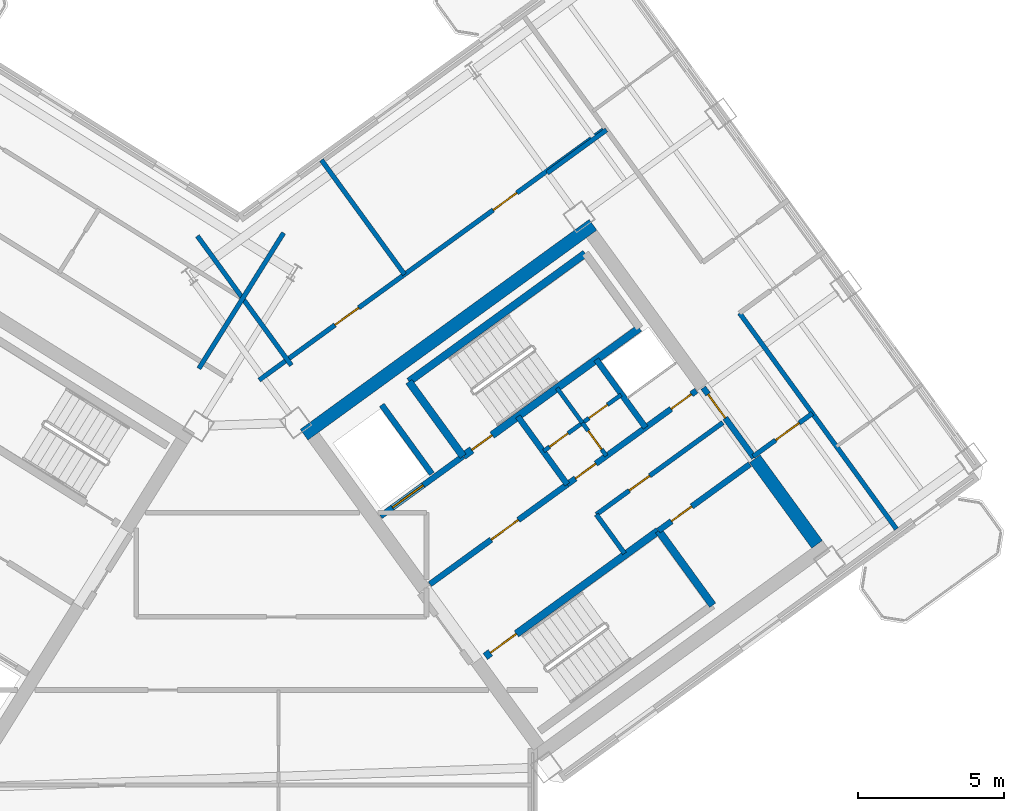
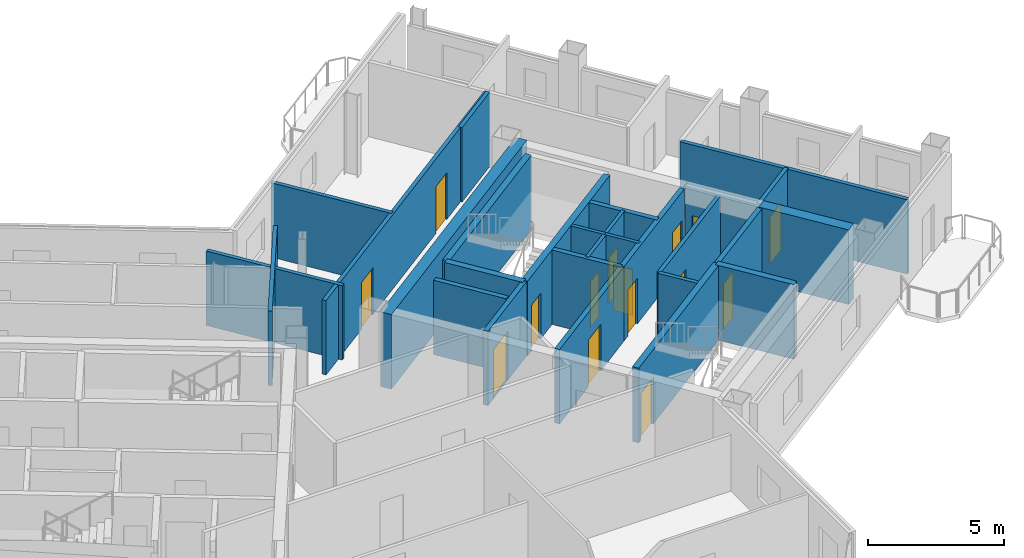
# One storey, part 14 of 21: 27 walls, 15 doors, 15 openings.
"""IFC4 building model written with IfcOpenShell, lengths in metres."""

from ifc_helpers import new_model, si_unit, direction, frame, frame_2d, origin, place, context, subcontext, project, spatial, rectangle, extrude, source, transform, mapped, material, layer, layer_set, type_object, element, fill, save


model = new_model("IFC4")

# Units and contexts
model_context = context("Model", 3, precision=1e-05, world=origin(), true_north=direction((0.0, 1.0)))
body_context = subcontext(model_context, "Body", "Model", "MODEL_VIEW")
ifc_project = project(units=[si_unit("LENGTHUNIT", "METRE"), si_unit("AREAUNIT", "SQUARE_METRE"), si_unit("VOLUMEUNIT", "CUBIC_METRE"), si_unit("PLANEANGLEUNIT", "RADIAN"), si_unit("MASSUNIT", "GRAM", prefix="KILO")], contexts=[model_context])

# Site, building, storey
site_placement = place(None, origin())
site = spatial("IfcSite", under=ifc_project, at=site_placement, CompositionType="ELEMENT")
building_placement = place(site_placement, origin())
building = spatial("IfcBuilding", under=site, at=building_placement, Name="Tlacorven Tower", CompositionType="ELEMENT")
storey_placement = place(building_placement, frame((0.0, 0.0, 214.800048828125)))
storey = spatial("IfcBuildingStorey", under=building, at=storey_placement, Name="L54", CompositionType="ELEMENT", Elevation=214.800048828125)

# Walls
ifc_material_1 = material(Name="Concrete C50/60", Category="concrete")
ifc_layer_1 = layer(ifc_material_1, 0.449951171875)
ifc_layer_set_1 = layer_set([ifc_layer_1], Name="Concrete C50/60")
wall_type_1 = type_object("IfcWallType", Name="WL-COR-450", PredefinedType="SHEAR", material=ifc_layer_set_1)
wall_1_placement = place(storey_placement, frame((44.405517578125, 24.171630859375, 0.0), z_axis=(0.0, 0.0, 1.0), x_axis=(0.809012867805, 0.587790931986, 0.0)))
element("IfcWall", 1, at=wall_1_placement, inside=storey, type_object=wall_type_1, Name="L54 E core shear wall S2", PredefinedType="SHEAR", context=body_context, shape_type="SweptSolid", body=[
    extrude(rectangle(XDim=12.239990234375, YDim=0.449951171875, at=frame_2d((6.1201171875, 0.0))), origin(), (0.0, 0.0, 1.0), 3.349853515625),
])
wall_2_placement = place(storey_placement, frame((61.987548828125, 20.413330078125, 0.0), z_axis=(0.0, 0.0, 1.0), x_axis=(-0.587819244441, 0.808992296542, 0.0)))
element("IfcWall", 2, at=wall_2_placement, inside=storey, type_object=wall_type_1, Name="L54 E core end wall E2.1", PredefinedType="SHEAR", context=body_context, shape_type="SweptSolid", body=[
    extrude(rectangle(XDim=3.625, YDim=0.449951171875, at=frame_2d((1.8125, 0.0))), origin(), (0.0, 0.0, 1.0), 3.349853515625),
])

# Wall, opening, door
ifc_material_2 = material(Name="Gypsum plasterboard acoustic partition", Category="gypsum")
ifc_layer_2 = layer(ifc_material_2, 0.159912109375)
ifc_layer_set_2 = layer_set([ifc_layer_2], Name="Gypsum plasterboard acoustic partition")
wall_type_2 = type_object("IfcWallType", Name="WL-DEM-160", PredefinedType="PARTITIONING", material=ifc_layer_set_2)
wall_3_placement = place(storey_placement, frame((54.421142578125, 21.436279296875, 0.0), z_axis=(0.0, 0.0, 1.0), x_axis=(0.809013710463, 0.587789772183, 0.0)))
wall_3 = element("IfcWall", 3, at=wall_3_placement, inside=storey, type_object=wall_type_2, Name="L54 partition 29", PredefinedType="PARTITIONING", context=body_context, shape_type="SweptSolid", body=[
    extrude(rectangle(XDim=5.360107421875, YDim=0.159912109375, at=frame_2d((2.68017578125, 0.0))), origin(), (0.0, 0.0, 1.0), 3.33984375),
])
opening_1_placement = place(wall_3_placement, frame((1.39990234375, 0.0, 0.0)))
opening_1 = element("IfcOpeningElement", 4, at=opening_1_placement, cuts=wall_3, Name="Opening D19", PredefinedType="OPENING", context=body_context, shape_type="SweptSolid", body=[
    extrude(rectangle(XDim=0.860107421875, YDim=2.050048828125, at=frame_2d((0.43017578125, 1.02490234375))), frame((0.0, 0.08984375, 0.0), z_axis=(0.0, -1.0, 0.0), x_axis=(1.0, 0.0, 0.0)), (0.0, 0.0, 1.0), 0.179931640625),
])
ifc_material_3 = material(Name="Fire-rated steel door assembly", Category="steel")
door_type_1 = type_object("IfcDoorType", Name="DR-RSR-FD60-0860", OperationType="NOTDEFINED", PredefinedType="DOOR", material=ifc_material_3)
shared_shape_1 = source(origin(), body_context, "Body", "SweptSolid", [
    extrude(rectangle(XDim=0.860107421875, YDim=2.050048828125, at=frame_2d((0.43017578125, 1.02490234375))), frame((0.0, 0.02490234375, 0.0), z_axis=(0.0, -1.0, 0.0), x_axis=(1.0, 0.0, 0.0)), (0.0, 0.0, 1.0), 0.050048828125),
])
door_1_placement = place(opening_1_placement, origin())
door_1 = element("IfcDoor", 5, at=door_1_placement, inside=storey, type_object=door_type_1, Name="L54 Freed Core Store Door", OperationType="SINGLE_SWING_LEFT", OverallHeight=2.050048828125, OverallWidth=0.860107421875, PredefinedType="DOOR", context=body_context, shape_type="MappedRepresentation", body=[
    mapped(shared_shape_1, transform((0.0, 0.0, 0.0), scale=1.0)),
])
fill(opening_1, door_1)

# Walls
wall_4_placement = place(storey_placement, frame((55.390869140625, 20.1015625, 0.0), z_axis=(0.0, 0.0, 1.0), x_axis=(-0.58778447739, 0.809017557374, 0.0)))
element("IfcWall", 6, at=wall_4_placement, inside=storey, type_object=wall_type_2, Name="L54 partition 30", PredefinedType="PARTITIONING", context=body_context, shape_type="SweptSolid", body=[
    extrude(rectangle(XDim=1.64990234375, YDim=0.159912109375, at=frame_2d((0.824951171875, 0.0))), origin(), (0.0, 0.0, 1.0), 3.33984375),
])
wall_5_placement = place(storey_placement, frame((43.70361328125, 31.086181640625, 0.0), z_axis=(0.0, 0.0, 1.0), x_axis=(-0.529906828443, -0.848055866774, 0.0)))
element("IfcWall", 7, at=wall_5_placement, inside=storey, type_object=wall_type_2, Name="L54 WC West Throat Wall", PredefinedType="PARTITIONING", context=body_context, shape_type="SweptSolid", body=[
    extrude(rectangle(XDim=5.479736328125, YDim=0.159912109375, at=frame_2d((2.73974609375, 0.0))), origin(), (0.0, 0.0, 1.0), 3.33984375),
])

# Wall, opening, door
wall_6_placement = place(storey_placement, frame((59.7978515625, 23.427001953125, 0.0), z_axis=(0.0, 0.0, 1.0), x_axis=(0.809034604122, 0.587761013791, 0.0)))
wall_6 = element("IfcWall", 8, at=wall_6_placement, inside=storey, type_object=wall_type_2, Name="L54 partition 75", PredefinedType="PARTITIONING", context=body_context, shape_type="SweptSolid", body=[
    extrude(rectangle(XDim=2.510009765625, YDim=0.159912109375, at=frame_2d((1.2548828125, 0.0))), origin(), (0.0, 0.0, 1.0), 3.33984375),
])
opening_2_placement = place(wall_6_placement, frame((0.949951171875, 0.0, 0.0)))
opening_2 = element("IfcOpeningElement", 9, at=opening_2_placement, cuts=wall_6, Name="Opening D11", PredefinedType="OPENING", context=body_context, shape_type="SweptSolid", body=[
    extrude(rectangle(XDim=1.0, YDim=2.10009765625, at=frame_2d((0.5, 1.050048828125))), frame((0.0, 0.08984375, 0.0), z_axis=(0.0, -1.0, 0.0), x_axis=(1.0, 0.0, 0.0)), (0.0, 0.0, 1.0), 0.179931640625),
])
door_type_2 = type_object("IfcDoorType", Name="DR-FLT-FD60-1000", OperationType="NOTDEFINED", PredefinedType="DOOR", material=ifc_material_3)
shared_shape_2 = source(origin(), body_context, "Body", "SweptSolid", [
    extrude(rectangle(XDim=1.0, YDim=2.10009765625, at=frame_2d((0.5, 1.050048828125))), frame((0.0, 0.02490234375, 0.0), z_axis=(0.0, -1.0, 0.0), x_axis=(1.0, 0.0, 0.0)), (0.0, 0.0, 1.0), 0.050048828125),
])
door_2_placement = place(opening_2_placement, frame((1.0, 0.0, 0.0), z_axis=(0.0, 0.0, 1.0), x_axis=(-1.0, 0.0, 0.0)))
door_2 = element("IfcDoor", 10, at=door_2_placement, inside=storey, type_object=door_type_2, Name="L54 door 050", OperationType="SINGLE_SWING_LEFT", OverallHeight=2.10009765625, OverallWidth=1.0, PredefinedType="DOOR", context=body_context, shape_type="MappedRepresentation", body=[
    mapped(shared_shape_2, transform((0.0, 0.0, 0.0), scale=1.0)),
])
fill(opening_2, door_2)

# Walls
wall_7_placement = place(storey_placement, frame((52.73876953125, 33.143310546875, 0.0), z_axis=(0.0, 0.0, 1.0), x_axis=(0.809000999347, 0.58780726693, 0.0)))
element("IfcWall", 11, at=wall_7_placement, inside=storey, type_object=wall_type_2, Name="L54 partition 76", PredefinedType="PARTITIONING", context=body_context, shape_type="SweptSolid", body=[
    extrude(rectangle(XDim=2.510009765625, YDim=0.159912109375, at=frame_2d((1.2548828125, 0.0))), origin(), (0.0, 0.0, 1.0), 3.33984375),
])
wall_8_placement = place(storey_placement, frame((64.708740234375, 20.93798828125, 0.0), z_axis=(0.0, 0.0, 1.0), x_axis=(-0.587776590479, 0.80902328748, 0.0)))
element("IfcWall", 12, at=wall_8_placement, inside=storey, type_object=wall_type_2, Name="L54 partition 77", PredefinedType="PARTITIONING", context=body_context, shape_type="SweptSolid", body=[
    extrude(rectangle(XDim=9.150146484375, YDim=0.159912109375, at=frame_2d((4.5751953125, 0.0))), origin(), (0.0, 0.0, 1.0), 3.33984375),
])

# Wall, openings, doors
wall_9_placement = place(storey_placement, frame((42.86572265625, 26.04443359375, 0.0), z_axis=(0.0, 0.0, 1.0), x_axis=(0.809020254154, 0.587780765566, 0.0)))
wall_9 = element("IfcWall", 13, at=wall_9_placement, inside=storey, type_object=wall_type_2, Name="L54 partition 84", PredefinedType="PARTITIONING", context=body_context, shape_type="SweptSolid", body=[
    extrude(rectangle(XDim=14.670166015625, YDim=0.159912109375, at=frame_2d((7.3349609375, 0.0))), origin(), (0.0, 0.0, 1.0), 3.33984375),
])
opening_3_placement = place(wall_9_placement, frame((3.215087890625, 0.0, 0.0)))
opening_3 = element("IfcOpeningElement", 14, at=opening_3_placement, cuts=wall_9, Name="Opening D11", PredefinedType="OPENING", context=body_context, shape_type="SweptSolid", body=[
    extrude(rectangle(XDim=1.0, YDim=2.10009765625, at=frame_2d((0.5, 1.050048828125))), frame((0.0, 0.08984375, 0.0), z_axis=(0.0, -1.0, 0.0), x_axis=(1.0, 0.0, 0.0)), (0.0, 0.0, 1.0), 0.179931640625),
])
opening_4_placement = place(wall_9_placement, frame((9.9150390625, 0.0, 0.0)))
opening_4 = element("IfcOpeningElement", 15, at=opening_4_placement, cuts=wall_9, Name="Opening D11", PredefinedType="OPENING", context=body_context, shape_type="SweptSolid", body=[
    extrude(rectangle(XDim=1.0, YDim=2.10009765625, at=frame_2d((0.5, 1.050048828125))), frame((0.0, 0.08984375, 0.0), z_axis=(0.0, -1.0, 0.0), x_axis=(1.0, 0.0, 0.0)), (0.0, 0.0, 1.0), 0.179931640625),
])
door_3_placement = place(opening_3_placement, origin())
door_3 = element("IfcDoor", 16, at=door_3_placement, inside=storey, type_object=door_type_2, Name="L54 door 056", OperationType="SINGLE_SWING_LEFT", OverallHeight=2.10009765625, OverallWidth=1.0, PredefinedType="DOOR", context=body_context, shape_type="MappedRepresentation", body=[
    mapped(shared_shape_2, transform((0.0, 0.0, 0.0), scale=1.0)),
])
fill(opening_3, door_3)
door_4_placement = place(opening_4_placement, origin())
door_4 = element("IfcDoor", 17, at=door_4_placement, inside=storey, type_object=door_type_2, Name="L54 door 057", OperationType="SINGLE_SWING_RIGHT", OverallHeight=2.10009765625, OverallWidth=1.0, PredefinedType="DOOR", context=body_context, shape_type="MappedRepresentation", body=[
    mapped(shared_shape_2, transform((0.0, 0.0, 0.0), scale=1.0)),
])
fill(opening_4, door_4)

# Walls
wall_10_placement = place(storey_placement, frame((43.969482421875, 26.549560546875, 0.0), z_axis=(0.0, 0.0, 1.0), x_axis=(-0.587776919386, 0.80902304852, 0.0)))
element("IfcWall", 18, at=wall_10_placement, inside=storey, type_object=wall_type_2, Name="L54 EC West Throat Wall", PredefinedType="PARTITIONING", context=body_context, shape_type="SweptSolid", body=[
    extrude(rectangle(XDim=5.47998046875, YDim=0.159912109375, at=frame_2d((2.739990234375, 0.0))), origin(), (0.0, 0.0, 1.0), 3.33984375),
])
wall_11_placement = place(storey_placement, frame((47.849365234375, 29.6650390625, 0.0), z_axis=(0.0, 0.0, 1.0), x_axis=(-0.587785532001, 0.809016791155, 0.0)))
element("IfcWall", 19, at=wall_11_placement, inside=storey, type_object=wall_type_2, Name="L54 EC Demising Wall 1", PredefinedType="PARTITIONING", context=body_context, shape_type="SweptSolid", body=[
    extrude(rectangle(XDim=4.85009765625, YDim=0.159912109375, at=frame_2d((2.425048828125, 0.0))), origin(), (0.0, 0.0, 1.0), 3.33984375),
])

# Wall, opening, door
ifc_material_4 = material(Name="Moisture-resistant gypsum plumbing wall", Category="gypsum")
ifc_layer_3 = layer(ifc_material_4, 0.139892578125)
ifc_layer_set_3 = layer_set([ifc_layer_3], Name="Moisture-resistant gypsum plumbing wall")
wall_type_3 = type_object("IfcWallType", Name="WL-PLM-140", PredefinedType="PLUMBINGWALL", material=ifc_layer_set_3)
wall_12_placement = place(storey_placement, frame((54.767578125, 23.443359375, 0.0), z_axis=(0.0, 0.0, 1.0), x_axis=(-0.587736077749, 0.809052719489, 0.0)))
wall_12 = element("IfcWall", 20, at=wall_12_placement, inside=storey, type_object=wall_type_3, Name="L54 partition 35", PredefinedType="PLUMBINGWALL", context=body_context, shape_type="SweptSolid", body=[
    extrude(rectangle(XDim=1.39990234375, YDim=0.139892578125, at=frame_2d((0.699951171875, 0.0))), origin(), (0.0, 0.0, 1.0), 3.33984375),
])
opening_5_placement = place(wall_12_placement, frame((0.280029296875, 0.0, 0.0)))
opening_5 = element("IfcOpeningElement", 21, at=opening_5_placement, cuts=wall_12, Name="Opening D22", PredefinedType="OPENING", context=body_context, shape_type="SweptSolid", body=[
    extrude(rectangle(XDim=0.780029296875, YDim=2.050048828125, at=frame_2d((0.39013671875, 1.02490234375))), frame((0.0, 0.080078125, 0.0), z_axis=(0.0, -1.0, 0.0), x_axis=(1.0, 0.0, 0.0)), (0.0, 0.0, 1.0), 0.159912109375),
])
ifc_material_5 = material(Name="Powder-coated aluminium and timber door", Category="wood")
door_type_3 = type_object("IfcDoorType", Name="DR-INT-WET-0780", OperationType="NOTDEFINED", PredefinedType="DOOR", material=ifc_material_5)
shared_shape_3 = source(origin(), body_context, "Body", "SweptSolid", [
    extrude(rectangle(XDim=0.780029296875, YDim=2.050048828125, at=frame_2d((0.39013671875, 1.02490234375))), frame((0.0, 0.02490234375, 0.0), z_axis=(0.0, -1.0, 0.0), x_axis=(1.0, 0.0, 0.0)), (0.0, 0.0, 1.0), 0.050048828125),
])
door_5_placement = place(opening_5_placement, origin())
door_5 = element("IfcDoor", 22, at=door_5_placement, inside=storey, type_object=door_type_3, Name="L54 door 019", OperationType="SINGLE_SWING_LEFT", OverallHeight=2.050048828125, OverallWidth=0.780029296875, PredefinedType="DOOR", context=body_context, shape_type="MappedRepresentation", body=[
    mapped(shared_shape_3, transform((0.0, 0.0, 0.0), scale=1.0)),
])
fill(opening_5, door_5)

# Wall
wall_13_placement = place(storey_placement, frame((53.94482421875, 24.575927734375, 0.0), z_axis=(0.0, 0.0, 1.0), x_axis=(-0.587897037186, 0.808935766095, 0.0)))
element("IfcWall", 23, at=wall_13_placement, inside=storey, type_object=wall_type_3, Name="L54 partition 36", PredefinedType="PLUMBINGWALL", context=body_context, shape_type="SweptSolid", body=[
    extrude(rectangle(XDim=1.47998046875, YDim=0.139892578125, at=frame_2d((0.739990234375, 0.0))), origin(), (0.0, 0.0, 1.0), 3.33984375),
])

# Wall, openings, doors
wall_14_placement = place(storey_placement, frame((52.617919921875, 23.612060546875, 0.0), z_axis=(0.0, 0.0, 1.0), x_axis=(0.809009587469, 0.587795446889, 0.0)))
wall_14 = element("IfcWall", 24, at=wall_14_placement, inside=storey, type_object=wall_type_3, Name="L54 partition 37", PredefinedType="PLUMBINGWALL", context=body_context, shape_type="SweptSolid", body=[
    extrude(rectangle(XDim=3.280029296875, YDim=0.139892578125, at=frame_2d((1.64013671875, 0.0))), origin(), (0.0, 0.0, 1.0), 3.33984375),
])
opening_6_placement = place(wall_14_placement, frame((0.25, 0.0, 0.0)))
opening_6 = element("IfcOpeningElement", 25, at=opening_6_placement, cuts=wall_14, Name="Opening D22", PredefinedType="OPENING", context=body_context, shape_type="SweptSolid", body=[
    extrude(rectangle(XDim=0.780029296875, YDim=2.050048828125, at=frame_2d((0.39013671875, 1.02490234375))), frame((0.0, 0.080078125, 0.0), z_axis=(0.0, -1.0, 0.0), x_axis=(1.0, 0.0, 0.0)), (0.0, 0.0, 1.0), 0.159912109375),
])
opening_7_placement = place(wall_14_placement, frame((1.919921875, 0.0, 0.0)))
opening_7 = element("IfcOpeningElement", 26, at=opening_7_placement, cuts=wall_14, Name="Opening D22", PredefinedType="OPENING", context=body_context, shape_type="SweptSolid", body=[
    extrude(rectangle(XDim=0.780029296875, YDim=2.050048828125, at=frame_2d((0.39013671875, 1.02490234375))), frame((0.0, 0.080078125, 0.0), z_axis=(0.0, -1.0, 0.0), x_axis=(1.0, 0.0, 0.0)), (0.0, 0.0, 1.0), 0.159912109375),
])
door_6_placement = place(opening_6_placement, origin())
door_6 = element("IfcDoor", 27, at=door_6_placement, inside=storey, type_object=door_type_3, Name="L54 door 020", OperationType="SINGLE_SWING_RIGHT", OverallHeight=2.050048828125, OverallWidth=0.780029296875, PredefinedType="DOOR", context=body_context, shape_type="MappedRepresentation", body=[
    mapped(shared_shape_3, transform((0.0, 0.0, 0.0), scale=1.0)),
])
fill(opening_6, door_6)
door_7_placement = place(opening_7_placement, origin())
door_7 = element("IfcDoor", 28, at=door_7_placement, inside=storey, type_object=door_type_3, Name="L54 door 021", OperationType="SINGLE_SWING_LEFT", OverallHeight=2.050048828125, OverallWidth=0.780029296875, PredefinedType="DOOR", context=body_context, shape_type="MappedRepresentation", body=[
    mapped(shared_shape_3, transform((0.0, 0.0, 0.0), scale=1.0)),
])
fill(opening_7, door_7)

# Wall, opening, door
ifc_material_6 = material(Name="Concrete C40/50", Category="concrete")
ifc_layer_4 = layer(ifc_material_6, 0.199951171875)
ifc_layer_set_4 = layer_set([ifc_layer_4], Name="Concrete C40/50")
wall_type_4 = type_object("IfcWallType", Name="WL-SHF-200", PredefinedType="STANDARD", material=ifc_layer_set_4)
wall_15_placement = place(storey_placement, frame((47.02490234375, 21.3779296875, 0.0), z_axis=(0.0, 0.0, 1.0), x_axis=(0.809052869724, 0.587735870941, 0.0)))
wall_15 = element("IfcWall", 29, at=wall_15_placement, inside=storey, type_object=wall_type_4, Name="L54 Core E Firefighting Lift Shaft Front Wall", PredefinedType="STANDARD", context=body_context, shape_type="SweptSolid", body=[
    extrude(rectangle(XDim=3.498046875, YDim=0.199951171875, at=frame_2d((1.7490234375, 0.0))), origin(), (0.0, 0.0, 1.0), 3.33984375),
])
opening_8_placement = place(wall_15_placement, frame((0.508056640625, 0.0, 0.0)))
opening_8 = element("IfcOpeningElement", 30, at=opening_8_placement, cuts=wall_15, Name="Opening LD03", PredefinedType="OPENING", context=body_context, shape_type="SweptSolid", body=[
    extrude(rectangle(XDim=1.300048828125, YDim=2.199951171875, at=frame_2d((0.64990234375, 1.10009765625))), frame((0.0, 0.10986328125, 0.0), z_axis=(0.0, -1.0, 0.0), x_axis=(1.0, 0.0, 0.0)), (0.0, 0.0, 1.0), 0.219970703125),
])
door_type_4 = type_object("IfcDoorType", Name="DR-LFT-SLID-1300", OperationType="DOUBLE_DOOR_SLIDING", PredefinedType="DOOR", material=ifc_material_3)
shared_shape_4 = source(origin(), body_context, "Body", "SweptSolid", [
    extrude(rectangle(XDim=1.300048828125, YDim=2.199951171875, at=frame_2d((0.64990234375, 1.10009765625))), frame((0.0, 0.02490234375, 0.0), z_axis=(0.0, -1.0, 0.0), x_axis=(1.0, 0.0, 0.0)), (0.0, 0.0, 1.0), 0.050048828125),
])
door_8_placement = place(opening_8_placement, origin())
door_8 = element("IfcDoor", 31, at=door_8_placement, inside=storey, type_object=door_type_4, Name="L54 Lift FFL-E1 Sliding Landing Door", OperationType="DOUBLE_DOOR_SLIDING", OverallHeight=2.199951171875, OverallWidth=1.300048828125, PredefinedType="DOOR", context=body_context, shape_type="MappedRepresentation", body=[
    mapped(shared_shape_4, transform((0.0, 0.0, 0.0), scale=1.0)),
])
fill(opening_8, door_8)

wall_16_placement = place(storey_placement, frame((48.7177734375, 19.0478515625, 0.0), z_axis=(0.0, 0.0, 1.0), x_axis=(0.809017261719, 0.587784884325, 0.0)))
wall_16 = element("IfcWall", 32, at=wall_16_placement, inside=storey, type_object=wall_type_4, Name="L54 Core E Smoke Lobby Wall", PredefinedType="STANDARD", context=body_context, shape_type="SweptSolid", body=[
    extrude(rectangle(XDim=5.81787109375, YDim=0.199951171875, at=frame_2d((2.908935546875, 0.0))), origin(), (0.0, 0.0, 1.0), 3.33984375),
])
opening_9_placement = place(wall_16_placement, frame((2.597900390625, 0.0, 0.0)))
opening_9 = element("IfcOpeningElement", 33, at=opening_9_placement, cuts=wall_16, Name="Opening D09", PredefinedType="OPENING", context=body_context, shape_type="SweptSolid", body=[
    extrude(rectangle(XDim=1.14990234375, YDim=2.10009765625, at=frame_2d((0.574951171875, 1.050048828125))), frame((0.0, 0.10986328125, 0.0), z_axis=(0.0, -1.0, 0.0), x_axis=(1.0, 0.0, 0.0)), (0.0, 0.0, 1.0), 0.219970703125),
])
door_type_5 = type_object("IfcDoorType", Name="DR-FFL-FD60-1150", OperationType="NOTDEFINED", PredefinedType="DOOR", material=ifc_material_3)
shared_shape_5 = source(origin(), body_context, "Body", "SweptSolid", [
    extrude(rectangle(XDim=1.14990234375, YDim=2.10009765625, at=frame_2d((0.574951171875, 1.050048828125))), frame((0.0, 0.02490234375, 0.0), z_axis=(0.0, -1.0, 0.0), x_axis=(1.0, 0.0, 0.0)), (0.0, 0.0, 1.0), 0.050048828125),
])
door_9_placement = place(opening_9_placement, origin())
door_9 = element("IfcDoor", 34, at=door_9_placement, inside=storey, type_object=door_type_5, Name="L54 Firefighting Lobby E Fire Door", OperationType="SINGLE_SWING_LEFT", OverallHeight=2.10009765625, OverallWidth=1.14990234375, PredefinedType="DOOR", context=body_context, shape_type="MappedRepresentation", body=[
    mapped(shared_shape_5, transform((0.0, 0.0, 0.0), scale=1.0)),
])
fill(opening_9, door_9)

wall_17_placement = place(storey_placement, frame((56.552978515625, 20.884033203125, 0.0), z_axis=(0.0, 0.0, 1.0), x_axis=(0.809041669066, 0.587751288995, 0.0)))
wall_17 = element("IfcWall", 35, at=wall_17_placement, inside=storey, type_object=wall_type_4, Name="L54 Core E South Lift Shaft Wall", PredefinedType="STANDARD", context=body_context, shape_type="SweptSolid", body=[
    extrude(rectangle(XDim=3.867919921875, YDim=0.199951171875, at=frame_2d((1.93408203125, 0.0))), origin(), (0.0, 0.0, 1.0), 3.33984375),
])
opening_10_placement = place(wall_17_placement, frame((0.550048828125, 0.0, 0.0)))
opening_10 = element("IfcOpeningElement", 36, at=opening_10_placement, cuts=wall_17, Name="Opening D19", PredefinedType="OPENING", context=body_context, shape_type="SweptSolid", body=[
    extrude(rectangle(XDim=0.860107421875, YDim=2.050048828125, at=frame_2d((0.43017578125, 1.02490234375))), frame((0.0, 0.10986328125, 0.0), z_axis=(0.0, -1.0, 0.0), x_axis=(1.0, 0.0, 0.0)), (0.0, 0.0, 1.0), 0.219970703125),
])
door_10_placement = place(opening_10_placement, origin())
door_10 = element("IfcDoor", 37, at=door_10_placement, inside=storey, type_object=door_type_1, Name="L54 East Telecoms Riser Access Door", OperationType="SINGLE_SWING_RIGHT", OverallHeight=2.050048828125, OverallWidth=0.860107421875, PredefinedType="DOOR", context=body_context, shape_type="MappedRepresentation", body=[
    mapped(shared_shape_1, transform((0.0, 0.0, 0.0), scale=1.0)),
])
fill(opening_10, door_10)

# Walls
wall_18_placement = place(storey_placement, frame((48.78564453125, 22.830078125, 0.0), z_axis=(0.0, 0.0, 1.0), x_axis=(-0.587783856777, 0.809018008275, 0.0)))
element("IfcWall", 38, at=wall_18_placement, inside=storey, type_object=wall_type_4, Name="L54 partition 31", PredefinedType="STANDARD", context=body_context, shape_type="SweptSolid", body=[
    extrude(rectangle(XDim=2.919921875, YDim=0.199951171875, at=frame_2d((1.4599609375, 0.0))), origin(), (0.0, 0.0, 1.0), 3.33984375),
])
wall_19_placement = place(storey_placement, frame((53.424560546875, 22.467529296875, 0.0), z_axis=(0.0, 0.0, 1.0), x_axis=(-0.5877230039, 0.809062216821, 0.0)))
element("IfcWall", 39, at=wall_19_placement, inside=storey, type_object=wall_type_4, Name="L54 partition 32", PredefinedType="STANDARD", context=body_context, shape_type="SweptSolid", body=[
    extrude(rectangle(XDim=2.8798828125, YDim=0.199951171875, at=frame_2d((1.43994140625, 0.0))), origin(), (0.0, 0.0, 1.0), 3.33984375),
])
wall_20_placement = place(storey_placement, frame((56.110595703125, 24.4189453125, 0.0), z_axis=(0.0, 0.0, 1.0), x_axis=(-0.58777848983, 0.809021907548, 0.0)))
element("IfcWall", 40, at=wall_20_placement, inside=storey, type_object=wall_type_4, Name="L54 partition 33", PredefinedType="STANDARD", context=body_context, shape_type="SweptSolid", body=[
    extrude(rectangle(XDim=2.880126953125, YDim=0.199951171875, at=frame_2d((1.43994140625, 0.0))), origin(), (0.0, 0.0, 1.0), 3.33984375),
])

# Wall, openings, doors
wall_21_placement = place(storey_placement, frame((53.424560546875, 22.467529296875, 0.0), z_axis=(0.0, 0.0, 1.0), x_axis=(0.809015945709, 0.587786695655, 0.0)))
wall_21 = element("IfcWall", 41, at=wall_21_placement, inside=storey, type_object=wall_type_4, Name="L54 Core E North Service Wall", PredefinedType="STANDARD", context=body_context, shape_type="SweptSolid", body=[
    extrude(rectangle(XDim=5.46826171875, YDim=0.199951171875, at=frame_2d((2.734130859375, 0.0))), origin(), (0.0, 0.0, 1.0), 3.33984375),
])
opening_11_placement = place(wall_21_placement, frame((4.39990234375, 0.0, 0.0)))
opening_11 = element("IfcOpeningElement", 42, at=opening_11_placement, cuts=wall_21, Name="Opening D19", PredefinedType="OPENING", context=body_context, shape_type="SweptSolid", body=[
    extrude(rectangle(XDim=0.860107421875, YDim=2.050048828125, at=frame_2d((0.43017578125, 1.02490234375))), frame((0.0, 0.10986328125, 0.0), z_axis=(0.0, -1.0, 0.0), x_axis=(1.0, 0.0, 0.0)), (0.0, 0.0, 1.0), 0.219970703125),
])
opening_12_placement = place(wall_21_placement, frame((0.35009765625, 0.0, 0.0)))
opening_12 = element("IfcOpeningElement", 43, at=opening_12_placement, cuts=wall_21, Name="Opening D19", PredefinedType="OPENING", context=body_context, shape_type="SweptSolid", body=[
    extrude(rectangle(XDim=0.860107421875, YDim=2.050048828125, at=frame_2d((0.43017578125, 1.02490234375))), frame((0.0, 0.10986328125, 0.0), z_axis=(0.0, -1.0, 0.0), x_axis=(1.0, 0.0, 0.0)), (0.0, 0.0, 1.0), 0.219970703125),
])
door_11_placement = place(opening_11_placement, frame((0.860107421875, 0.0, 0.0), z_axis=(0.0, 0.0, 1.0), x_axis=(-1.0, 0.0, 0.0)))
door_11 = element("IfcDoor", 44, at=door_11_placement, inside=storey, type_object=door_type_1, Name="L54 Electrical Riser Access Door E", OperationType="SINGLE_SWING_LEFT", OverallHeight=2.050048828125, OverallWidth=0.860107421875, PredefinedType="DOOR", context=body_context, shape_type="MappedRepresentation", body=[
    mapped(shared_shape_1, transform((0.0, 0.0, 0.0), scale=1.0)),
])
fill(opening_11, door_11)
door_12_placement = place(opening_12_placement, frame((0.860107421875, 0.0, 0.0), z_axis=(0.0, 0.0, 1.0), x_axis=(-1.0, 0.0, 0.0)))
door_12 = element("IfcDoor", 45, at=door_12_placement, inside=storey, type_object=door_type_1, Name="L54 Cleaning Room Access Door E", OperationType="SINGLE_SWING_RIGHT", OverallHeight=2.050048828125, OverallWidth=0.860107421875, PredefinedType="DOOR", context=body_context, shape_type="MappedRepresentation", body=[
    mapped(shared_shape_1, transform((0.0, 0.0, 0.0), scale=1.0)),
])
fill(opening_12, door_12)

# Wall, opening, door
wall_22_placement = place(storey_placement, frame((59.827392578125, 23.386474609375, 0.0), z_axis=(0.0, 0.0, 1.0), x_axis=(-0.587803840107, 0.809003489211, 0.0)))
wall_22 = element("IfcWall", 46, at=wall_22_placement, inside=storey, type_object=wall_type_4, Name="L54 partition 74", PredefinedType="STANDARD", context=body_context, shape_type="SweptSolid", body=[
    extrude(rectangle(XDim=2.960205078125, YDim=0.199951171875, at=frame_2d((1.47998046875, 0.0))), origin(), (0.0, 0.0, 1.0), 3.33984375),
])
opening_13_placement = place(wall_22_placement, frame((1.679931640625, 0.0, 0.0)))
opening_13 = element("IfcOpeningElement", 47, at=opening_13_placement, cuts=wall_22, Name="Opening D11", PredefinedType="OPENING", context=body_context, shape_type="SweptSolid", body=[
    extrude(rectangle(XDim=1.0, YDim=2.10009765625, at=frame_2d((0.5, 1.050048828125))), frame((0.0, 0.10986328125, 0.0), z_axis=(0.0, -1.0, 0.0), x_axis=(1.0, 0.0, 0.0)), (0.0, 0.0, 1.0), 0.219970703125),
])
door_13_placement = place(opening_13_placement, origin())
door_13 = element("IfcDoor", 48, at=door_13_placement, inside=storey, type_object=door_type_2, Name="L54 door 051", OperationType="SINGLE_SWING_RIGHT", OverallHeight=2.10009765625, OverallWidth=1.0, PredefinedType="DOOR", context=body_context, shape_type="MappedRepresentation", body=[
    mapped(shared_shape_2, transform((0.0, 0.0, 0.0), scale=1.0)),
])
fill(opening_13, door_13)

# Wall
ifc_layer_5 = layer(ifc_material_1, 0.260009765625)
ifc_layer_set_5 = layer_set([ifc_layer_5], Name="Concrete C50/60")
wall_type_5 = type_object("IfcWallType", Name="WL-STW-260", PredefinedType="SHEAR", material=ifc_layer_set_5)
wall_23_placement = place(storey_placement, frame((48.005615234375, 25.996337890625, 0.0), z_axis=(0.0, 0.0, 1.0), x_axis=(0.80901903764, 0.587782439969, 0.0)))
element("IfcWall", 49, at=wall_23_placement, inside=storey, type_object=wall_type_5, Name="L54 Stair E1 Far Shear Wall", PredefinedType="SHEAR", context=body_context, shape_type="SweptSolid", body=[
    extrude(rectangle(XDim=7.4599609375, YDim=0.260009765625, at=frame_2d((3.72998046875, 0.0))), origin(), (0.0, 0.0, 1.0), 3.349853515625),
])

# Wall, opening, door
wall_24_placement = place(storey_placement, frame((49.863037109375, 23.439697265625, 0.0), z_axis=(0.0, 0.0, 1.0), x_axis=(0.809003474932, 0.587803859759, 0.0)))
wall_24 = element("IfcWall", 50, at=wall_24_placement, inside=storey, type_object=wall_type_5, Name="L54 Stair E1 Lobby Shear Wall", PredefinedType="SHEAR", context=body_context, shape_type="SweptSolid", body=[
    extrude(rectangle(XDim=7.4599609375, YDim=0.260009765625, at=frame_2d((3.72998046875, 0.0))), origin(), (0.0, 0.0, 1.0), 3.349853515625),
])
opening_14_placement = place(wall_24_placement, frame((0.360107421875, 0.0, 0.0)))
opening_14 = element("IfcOpeningElement", 51, at=opening_14_placement, cuts=wall_24, Name="Opening D19", PredefinedType="OPENING", context=body_context, shape_type="SweptSolid", body=[
    extrude(rectangle(XDim=0.860107421875, YDim=2.050048828125, at=frame_2d((0.43017578125, 1.02490234375))), frame((0.0, 0.14013671875, 0.0), z_axis=(0.0, -1.0, 0.0), x_axis=(1.0, 0.0, 0.0)), (0.0, 0.0, 1.0), 0.280029296875),
])
door_14_placement = place(opening_14_placement, frame((0.860107421875, 0.0, 0.0), z_axis=(0.0, 0.0, 1.0), x_axis=(-1.0, 0.0, 0.0)))
door_14 = element("IfcDoor", 52, at=door_14_placement, inside=storey, type_object=door_type_1, Name="L54 Exit Stair E1 Fire Door", OperationType="SINGLE_SWING_LEFT", OverallHeight=2.050048828125, OverallWidth=0.860107421875, PredefinedType="DOOR", context=body_context, shape_type="MappedRepresentation", body=[
    mapped(shared_shape_1, transform((0.0, 0.0, 0.0), scale=1.0)),
])
fill(opening_14, door_14)

# Wall
wall_25_placement = place(storey_placement, frame((49.85498046875, 23.433837890625, 0.0), z_axis=(0.0, 0.0, 1.0), x_axis=(-0.58776738483, 0.809029975545, 0.0)))
element("IfcWall", 53, at=wall_25_placement, inside=storey, type_object=wall_type_5, Name="L54 Stair E1 West Shear Wall", PredefinedType="SHEAR", context=body_context, shape_type="SweptSolid", body=[
    extrude(rectangle(XDim=3.16015625, YDim=0.260009765625, at=frame_2d((1.580078125, 0.0))), origin(), (0.0, 0.0, 1.0), 3.349853515625),
])

# Wall, opening, door
wall_26_placement = place(storey_placement, frame((50.61474609375, 16.569580078125, 0.0), z_axis=(0.0, 0.0, 1.0), x_axis=(0.809028366311, 0.587769599847, 0.0)))
wall_26 = element("IfcWall", 54, at=wall_26_placement, inside=storey, type_object=wall_type_5, Name="L54 Stair E2 Lobby Shear Wall", PredefinedType="SHEAR", context=body_context, shape_type="SweptSolid", body=[
    extrude(rectangle(XDim=7.330078125, YDim=0.260009765625, at=frame_2d((3.6650390625, 0.0))), origin(), (0.0, 0.0, 1.0), 3.349853515625),
])
opening_15_placement = place(wall_26_placement, frame((0.219970703125, 0.0, 0.0)))
opening_15 = element("IfcOpeningElement", 55, at=opening_15_placement, cuts=wall_26, Name="Opening D07", PredefinedType="OPENING", context=body_context, shape_type="SweptSolid", body=[
    extrude(rectangle(XDim=1.10009765625, YDim=2.10009765625, at=frame_2d((0.550048828125, 1.050048828125))), frame((0.0, 0.14013671875, 0.0), z_axis=(0.0, -1.0, 0.0), x_axis=(1.0, 0.0, 0.0)), (0.0, 0.0, 1.0), 0.280029296875),
])
door_type_6 = type_object("IfcDoorType", Name="DR-STR-FD90-1100", OperationType="NOTDEFINED", PredefinedType="DOOR", material=ifc_material_3)
shared_shape_6 = source(origin(), body_context, "Body", "SweptSolid", [
    extrude(rectangle(XDim=1.10009765625, YDim=2.10009765625, at=frame_2d((0.550048828125, 1.050048828125))), frame((0.0, 0.02490234375, 0.0), z_axis=(0.0, -1.0, 0.0), x_axis=(1.0, 0.0, 0.0)), (0.0, 0.0, 1.0), 0.050048828125),
])
door_15_placement = place(opening_15_placement, origin())
door_15 = element("IfcDoor", 56, at=door_15_placement, inside=storey, type_object=door_type_6, Name="L54 Exit Stair E2 Fire Door", OperationType="SINGLE_SWING_RIGHT", OverallHeight=2.10009765625, OverallWidth=1.10009765625, PredefinedType="DOOR", context=body_context, shape_type="MappedRepresentation", body=[
    mapped(shared_shape_6, transform((0.0, 0.0, 0.0), scale=1.0)),
])
fill(opening_15, door_15)

# Wall
wall_27_placement = place(storey_placement, frame((58.410400390625, 18.327392578125, 0.0), z_axis=(0.0, 0.0, 1.0), x_axis=(-0.58776738483, 0.809029975545, 0.0)))
element("IfcWall", 57, at=wall_27_placement, inside=storey, type_object=wall_type_5, Name="L54 Stair E2 East Shear Wall", PredefinedType="SHEAR", context=body_context, shape_type="SweptSolid", body=[
    extrude(rectangle(XDim=3.16015625, YDim=0.260009765625, at=frame_2d((1.580078125, 0.0))), origin(), (0.0, 0.0, 1.0), 3.349853515625),
])

save(model, "model.ifc")
